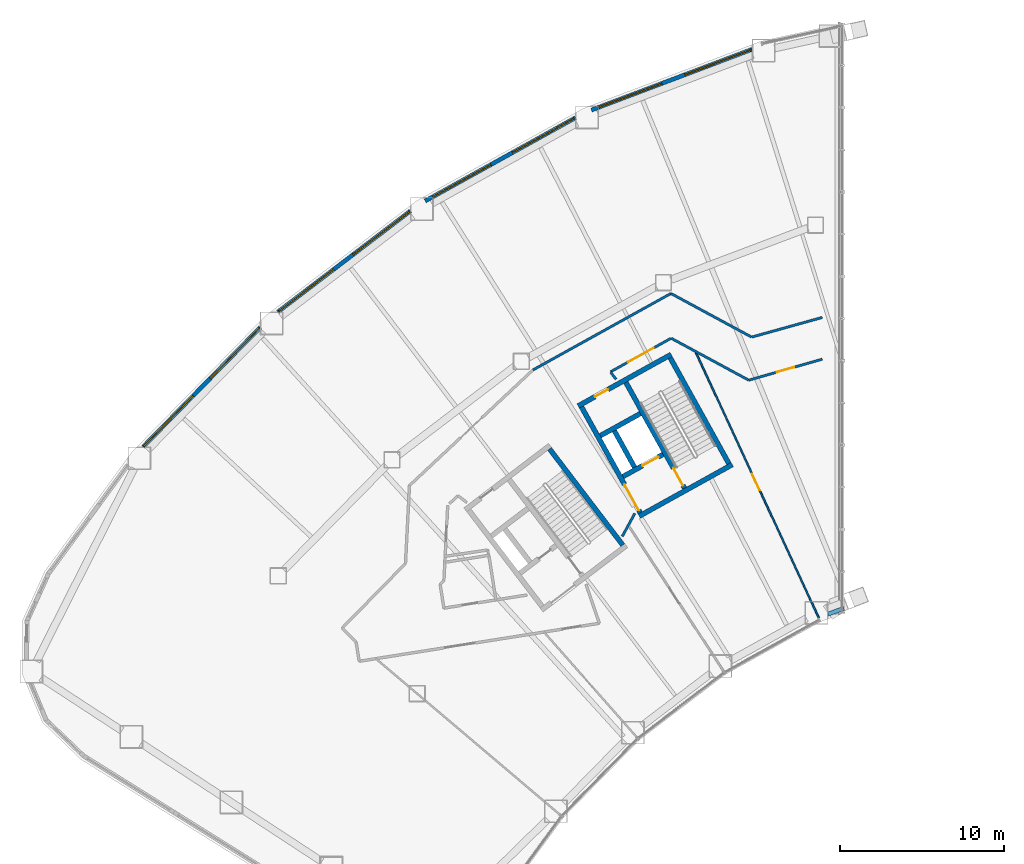
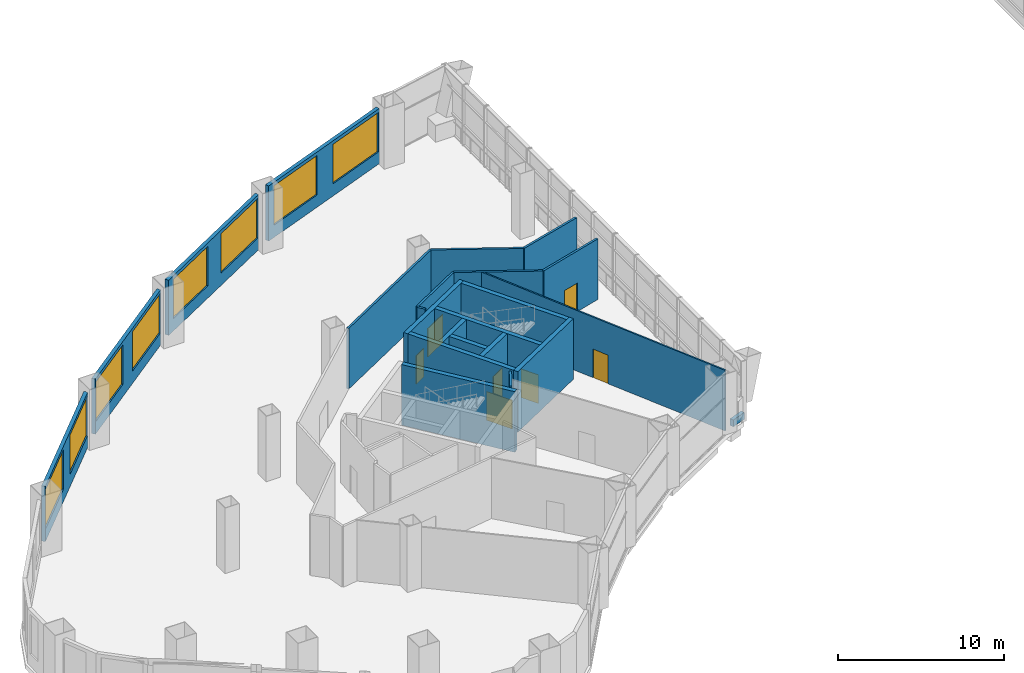
# One storey, part 20 of 26: 23 walls, 8 windows, 7 doors, 15 openings.
"""IFC4 building model written with IfcOpenShell, lengths in metres."""

from ifc_helpers import new_model, si_unit, direction, frame, frame_2d, origin, place, context, subcontext, project, spatial, rectangle, extrude, material, layer, layer_set, type_object, element, fill, save


model = new_model("IFC4")

# Units and contexts
model_context = context("Model", 3, precision=1e-05, world=origin(), true_north=direction((0.0, 1.0)))
body_context = subcontext(model_context, "Body", "Model", "MODEL_VIEW")
ifc_project = project(units=[si_unit("LENGTHUNIT", "METRE"), si_unit("AREAUNIT", "SQUARE_METRE"), si_unit("VOLUMEUNIT", "CUBIC_METRE"), si_unit("PLANEANGLEUNIT", "RADIAN"), si_unit("MASSUNIT", "GRAM", prefix="KILO")], contexts=[model_context])

# Site, building, storey
site_placement = place(None, origin())
site = spatial("IfcSite", under=ifc_project, at=site_placement, CompositionType="ELEMENT")
building_placement = place(site_placement, origin())
building = spatial("IfcBuilding", under=site, at=building_placement, Name="Tuul Gate Civic Tower", CompositionType="ELEMENT")
storey_placement = place(building_placement, frame((0.0, 0.0, 7.5)))
storey = spatial("IfcBuildingStorey", under=building, at=storey_placement, Name="Level 01", CompositionType="ELEMENT", Elevation=7.5)

# Walls
ifc_material_1 = material(Name="Concrete C50/60", Category="concrete")
ifc_layer_1 = layer(ifc_material_1, 0.300048828125)
ifc_layer_set_1 = layer_set([ifc_layer_1], Name="Concrete C50/60")
wall_type_1 = type_object("IfcWallType", Name="Core wall C50/60", PredefinedType="SHEAR", material=ifc_layer_set_1)
wall_1_placement = place(storey_placement, frame((-31.401123046875, -13.64111328125, 0.0), z_axis=(0.0, 0.0, 1.0), x_axis=(-0.605769822278, 0.795639945213, 0.0)))
element("IfcWall", 1, at=wall_1_placement, inside=storey, type_object=wall_type_1, Name="Core wall", PredefinedType="SHEAR", context=body_context, shape_type="SweptSolid", body=[
    extrude(rectangle(XDim=7.39990234375, YDim=0.300048828125, at=frame_2d((3.699951171875, 0.0))), origin(), (0.0, 0.0, 1.0), 4.449951171875),
])
wall_2_placement = place(storey_placement, frame((-24.711669921875, -8.7158203125, 0.0), z_axis=(0.0, 0.0, 1.0), x_axis=(-0.874629909008, -0.484791215132, 0.0)))
element("IfcWall", 2, at=wall_2_placement, inside=storey, type_object=wall_type_1, Name="Core wall", PredefinedType="SHEAR", context=body_context, shape_type="SweptSolid", body=[
    extrude(rectangle(XDim=6.5, YDim=0.300048828125, at=frame_2d((3.25, 0.0))), origin(), (0.0, 0.0, 1.0), 4.449951171875),
])

# Wall, opening, door
wall_3_placement = place(storey_placement, frame((-28.94580078125, -8.090087890625, 0.0), z_axis=(0.0, 0.0, 1.0), x_axis=(-0.874629840737, -0.484791338301, 0.0)))
wall_3 = element("IfcWall", 3, at=wall_3_placement, inside=storey, type_object=wall_type_1, Name="Core wall", PredefinedType="SHEAR", context=body_context, shape_type="SweptSolid", body=[
    extrude(rectangle(XDim=2.800048828125, YDim=0.300048828125, at=frame_2d((1.39990234375, 0.0))), origin(), (0.0, 0.0, 1.0), 4.449951171875),
])
opening_1_placement = place(wall_3_placement, frame((0.324951171875, 0.0, 0.0)))
opening_1 = element("IfcOpeningElement", 4, at=opening_1_placement, cuts=wall_3, Name="Opening LD-FF-1", PredefinedType="OPENING", context=body_context, shape_type="SweptSolid", body=[
    extrude(rectangle(XDim=1.10009765625, YDim=2.10009765625, at=frame_2d((0.550048828125, 1.050048828125))), frame((0.0, 0.16015625, 0.0), z_axis=(0.0, -1.0, 0.0), x_axis=(1.0, 0.0, 0.0)), (0.0, 0.0, 1.0), 0.320068359375),
])
ifc_material_2 = material(Name="Stainless steel", Category="steel")
door_type_1 = type_object("IfcDoorType", Name="Landing door", OperationType="DOUBLE_DOOR_SLIDING", PredefinedType="DOOR", material=ifc_material_2)
door_1_placement = place(opening_1_placement, origin())
door_1 = element("IfcDoor", 5, at=door_1_placement, inside=storey, type_object=door_type_1, Name="Fire-fighting lift FF-1 landing door", OperationType="DOUBLE_DOOR_SLIDING", OverallHeight=2.10009765625, OverallWidth=1.10009765625, PredefinedType="DOOR", context=body_context, shape_type="SweptSolid", body=[
    extrude(rectangle(XDim=1.10009765625, YDim=2.10009765625, at=frame_2d((0.550048828125, 1.050048828125))), frame((0.0, 0.02490234375, 0.0), z_axis=(0.0, -1.0, 0.0), x_axis=(1.0, 0.0, 0.0)), (0.0, 0.0, 1.0), 0.050048828125),
])
fill(opening_1, door_1)

# Wall
wall_4_placement = place(storey_placement, frame((-30.327392578125, -5.59716796875, 0.0), z_axis=(0.0, 0.0, 1.0), x_axis=(-0.874629840737, -0.484791338301, 0.0)))
element("IfcWall", 6, at=wall_4_placement, inside=storey, type_object=wall_type_1, Name="Core wall", PredefinedType="SHEAR", context=body_context, shape_type="SweptSolid", body=[
    extrude(rectangle(XDim=2.800048828125, YDim=0.300048828125, at=frame_2d((1.39990234375, 0.0))), origin(), (0.0, 0.0, 1.0), 4.449951171875),
])

# Wall, opening, door
wall_5_placement = place(storey_placement, frame((-28.4443359375, -1.98095703125, 0.0), z_axis=(0.0, 0.0, 1.0), x_axis=(-0.874629909008, -0.484791215132, 0.0)))
wall_5 = element("IfcWall", 7, at=wall_5_placement, inside=storey, type_object=wall_type_1, Name="Core wall", PredefinedType="SHEAR", context=body_context, shape_type="SweptSolid", body=[
    extrude(rectangle(XDim=6.5, YDim=0.300048828125, at=frame_2d((3.25, 0.0))), origin(), (0.0, 0.0, 1.0), 4.449951171875),
])
opening_2_placement = place(wall_5_placement, frame((4.425048828125, 0.0, 0.0)))
opening_2 = element("IfcOpeningElement", 8, at=opening_2_placement, cuts=wall_5, Name="Opening QA-D21", PredefinedType="OPENING", context=body_context, shape_type="SweptSolid", body=[
    extrude(rectangle(XDim=0.89990234375, YDim=2.10009765625, at=frame_2d((0.449951171875, 1.050048828125))), frame((0.0, 0.16015625, 0.0), z_axis=(0.0, -1.0, 0.0), x_axis=(1.0, 0.0, 0.0)), (0.0, 0.0, 1.0), 0.320068359375),
])
ifc_material_3 = material(Name="Timber door leaf", Category="wood")
door_type_2 = type_object("IfcDoorType", Name="Door D09", OperationType="NOTDEFINED", PredefinedType="DOOR", material=ifc_material_3)
door_2_placement = place(opening_2_placement, origin())
door_2 = element("IfcDoor", 9, at=door_2_placement, inside=storey, type_object=door_type_2, Name="Door QA-D21", OperationType="SINGLE_SWING_LEFT", OverallHeight=2.10009765625, OverallWidth=0.89990234375, PredefinedType="DOOR", context=body_context, shape_type="SweptSolid", body=[
    extrude(rectangle(XDim=0.89990234375, YDim=2.10009765625, at=frame_2d((0.449951171875, 1.050048828125))), frame((0.0, 0.02490234375, 0.0), z_axis=(0.0, -1.0, 0.0), x_axis=(1.0, 0.0, 0.0)), (0.0, 0.0, 1.0), 0.050048828125),
])
fill(opening_2, door_2)

# Wall
wall_6_placement = place(storey_placement, frame((-24.91552734375, -8.6572265625, 0.0), z_axis=(0.0, 0.0, 1.0), x_axis=(-0.484777133038, 0.874637714304, 0.0)))
element("IfcWall", 10, at=wall_6_placement, inside=storey, type_object=wall_type_1, Name="Core wall", PredefinedType="SHEAR", context=body_context, shape_type="SweptSolid", body=[
    extrude(rectangle(XDim=7.400146484375, YDim=0.300048828125, at=frame_2d((3.7001953125, 0.0))), origin(), (0.0, 0.0, 1.0), 4.449951171875),
])

# Wall, opening, door
wall_7_placement = place(storey_placement, frame((-27.626953125, -10.16015625, 0.0), z_axis=(0.0, 0.0, 1.0), x_axis=(-0.484751894226, 0.874651702704, 0.0)))
wall_7 = element("IfcWall", 11, at=wall_7_placement, inside=storey, type_object=wall_type_1, Name="Core wall", PredefinedType="SHEAR", context=body_context, shape_type="SweptSolid", body=[
    extrude(rectangle(XDim=7.39990234375, YDim=0.300048828125, at=frame_2d((3.699951171875, 0.0))), origin(), (0.0, 0.0, 1.0), 4.449951171875),
])
opening_3_placement = place(wall_7_placement, frame((0.199951171875, 0.0, 0.0)))
opening_3 = element("IfcOpeningElement", 12, at=opening_3_placement, cuts=wall_7, Name="Opening SD-ST-2", PredefinedType="OPENING", context=body_context, shape_type="SweptSolid", body=[
    extrude(rectangle(XDim=1.199951171875, YDim=2.10009765625, at=frame_2d((0.60009765625, 1.050048828125))), frame((0.0, 0.16015625, 0.0), z_axis=(0.0, -1.0, 0.0), x_axis=(1.0, 0.0, 0.0)), (0.0, 0.0, 1.0), 0.320068359375),
])
ifc_material_4 = material(Name="Steel", Category="steel")
door_type_3 = type_object("IfcDoorType", Name="Stair door", OperationType="NOTDEFINED", PredefinedType="DOOR", material=ifc_material_4)
door_3_placement = place(opening_3_placement, origin())
door_3 = element("IfcDoor", 13, at=door_3_placement, inside=storey, type_object=door_type_3, Name="Stair door ST-2", OperationType="SINGLE_SWING_LEFT", OverallHeight=2.10009765625, OverallWidth=1.199951171875, PredefinedType="DOOR", context=body_context, shape_type="SweptSolid", body=[
    extrude(rectangle(XDim=1.199951171875, YDim=2.10009765625, at=frame_2d((0.60009765625, 1.050048828125))), frame((0.0, 0.02490234375, 0.0), z_axis=(0.0, -1.0, 0.0), x_axis=(1.0, 0.0, 0.0)), (0.0, 0.0, 1.0), 0.050048828125),
])
fill(opening_3, door_3)

# Wall
wall_8_placement = place(storey_placement, frame((-30.680419921875, -8.8798828125, 0.0), z_axis=(0.0, 0.0, 1.0), x_axis=(-0.484724115216, 0.874667097888, 0.0)))
element("IfcWall", 14, at=wall_8_placement, inside=storey, type_object=wall_type_1, Name="Core wall", PredefinedType="SHEAR", context=body_context, shape_type="SweptSolid", body=[
    extrude(rectangle(XDim=2.550048828125, YDim=0.300048828125, at=frame_2d((1.27490234375, 0.0))), origin(), (0.0, 0.0, 1.0), 4.449951171875),
])

# Wall, opening, door
wall_9_placement = place(storey_placement, frame((-30.33837890625, -11.6630859375, 0.0), z_axis=(0.0, 0.0, 1.0), x_axis=(-0.484751894226, 0.874651702704, 0.0)))
wall_9 = element("IfcWall", 15, at=wall_9_placement, inside=storey, type_object=wall_type_1, Name="Core wall", PredefinedType="SHEAR", context=body_context, shape_type="SweptSolid", body=[
    extrude(rectangle(XDim=7.39990234375, YDim=0.300048828125, at=frame_2d((3.699951171875, 0.0))), origin(), (0.0, 0.0, 1.0), 4.449951171875),
])
opening_4_placement = place(wall_9_placement, frame((0.175048828125, 0.0, 0.0)))
opening_4 = element("IfcOpeningElement", 16, at=opening_4_placement, cuts=wall_9, Name="Opening LB-W2-FLOBBY-1", PredefinedType="OPENING", context=body_context, shape_type="SweptSolid", body=[
    extrude(rectangle(XDim=1.800048828125, YDim=2.10009765625, at=frame_2d((0.89990234375, 1.050048828125))), frame((0.0, 0.16015625, 0.0), z_axis=(0.0, -1.0, 0.0), x_axis=(1.0, 0.0, 0.0)), (0.0, 0.0, 1.0), 0.320068359375),
])
ifc_material_5 = material(Name="Steel", Category="steel")
door_type_4 = type_object("IfcDoorType", Name="Lobby door", OperationType="DOUBLE_DOOR_SINGLE_SWING", PredefinedType="DOOR", material=ifc_material_5)
door_4_placement = place(opening_4_placement, frame((1.800048828125, 0.0, 0.0), z_axis=(0.0, 0.0, 1.0), x_axis=(-1.0, 0.0, 0.0)))
door_4 = element("IfcDoor", 17, at=door_4_placement, inside=storey, type_object=door_type_4, Name="Lobby door W2-FLOBBY", OperationType="DOUBLE_DOOR_SINGLE_SWING", OverallHeight=2.10009765625, OverallWidth=1.800048828125, PredefinedType="DOOR", context=body_context, shape_type="SweptSolid", body=[
    extrude(rectangle(XDim=1.800048828125, YDim=2.10009765625, at=frame_2d((0.900146484375, 1.050048828125))), frame((0.0, 0.02490234375, 0.0), z_axis=(0.0, -1.0, 0.0), x_axis=(1.0, 0.0, 0.0)), (0.0, 0.0, 1.0), 0.050048828125),
])
fill(opening_4, door_4)

# Walls
ifc_material_6 = material(Name="Gypsum board partition")
ifc_layer_2 = layer(ifc_material_6, 0.14990234375)
ifc_layer_set_2 = layer_set([ifc_layer_2], Name="Gypsum board partition")
wall_type_2 = type_object("IfcWallType", Name="Corridor wall P150", PredefinedType="PARTITIONING", material=ifc_layer_set_2)
wall_10_placement = place(storey_placement, frame((-23.515869140625, -0.9189453125, 0.0), z_axis=(0.0, 0.0, 1.0), x_axis=(0.963356906107, 0.268222801893, 0.0)))
element("IfcWall", 18, at=wall_10_placement, inside=storey, type_object=wall_type_2, Name="p009", PredefinedType="PARTITIONING", context=body_context, shape_type="SweptSolid", body=[
    extrude(rectangle(XDim=4.47998046875, YDim=0.14990234375, at=frame_2d((2.239990234375, 0.0))), origin(), (0.0, 0.0, 1.0), 4.449951171875),
])
wall_11_placement = place(storey_placement, frame((-28.460205078125, 1.74658203125, 0.0), z_axis=(0.0, 0.0, 1.0), x_axis=(0.879722771924, -0.475486955192, 0.0)))
element("IfcWall", 19, at=wall_11_placement, inside=storey, type_object=wall_type_2, Name="p010", PredefinedType="PARTITIONING", context=body_context, shape_type="SweptSolid", body=[
    extrude(rectangle(XDim=5.602294921875, YDim=0.14990234375, at=frame_2d((2.80126953125, 0.0))), origin(), (0.0, 0.0, 1.0), 4.449951171875),
])
wall_12_placement = place(storey_placement, frame((-36.896484375, -2.9296875, 0.0), z_axis=(0.0, 0.0, 1.0), x_axis=(0.874621309202, 0.484806730038, 0.0)))
element("IfcWall", 20, at=wall_12_placement, inside=storey, type_object=wall_type_2, Name="p011", PredefinedType="PARTITIONING", context=body_context, shape_type="SweptSolid", body=[
    extrude(rectangle(XDim=9.645751953125, YDim=0.14990234375, at=frame_2d((4.82275390625, 0.0))), origin(), (0.0, 0.0, 1.0), 4.449951171875),
])
wall_13_placement = place(storey_placement, frame((-28.435791015625, -0.994873046875, 0.0), z_axis=(0.0, 0.0, 1.0), x_axis=(0.879728567104, -0.475476233077, 0.0)))
element("IfcWall", 21, at=wall_13_placement, inside=storey, type_object=wall_type_2, Name="p024", PredefinedType="PARTITIONING", context=body_context, shape_type="SweptSolid", body=[
    extrude(rectangle(XDim=5.381591796875, YDim=0.14990234375, at=frame_2d((2.69091796875, 0.0))), origin(), (0.0, 0.0, 1.0), 4.449951171875),
])

# Wall, opening, door
wall_14_placement = place(storey_placement, frame((-23.699951171875, -3.5537109375, 0.0), z_axis=(0.0, 0.0, 1.0), x_axis=(0.961547569575, 0.274638437669, 0.0)))
wall_14 = element("IfcWall", 22, at=wall_14_placement, inside=storey, type_object=wall_type_2, Name="p025", PredefinedType="PARTITIONING", context=body_context, shape_type="SweptSolid", body=[
    extrude(rectangle(XDim=4.679443359375, YDim=0.14990234375, at=frame_2d((2.33984375, 0.0))), origin(), (0.0, 0.0, 1.0), 4.449951171875),
])
opening_5_placement = place(wall_14_placement, frame((1.789794921875, 0.0, 0.0)))
opening_5 = element("IfcOpeningElement", 23, at=opening_5_placement, cuts=wall_14, Name="Opening QA-D06", PredefinedType="OPENING", context=body_context, shape_type="SweptSolid", body=[
    extrude(rectangle(XDim=1.10009765625, YDim=2.10009765625, at=frame_2d((0.550048828125, 1.050048828125))), frame((0.0, 0.0849609375, 0.0), z_axis=(0.0, -1.0, 0.0), x_axis=(1.0, 0.0, 0.0)), (0.0, 0.0, 1.0), 0.169921875),
])
ifc_material_7 = material(Name="Timber door leaf", Category="wood")
door_type_5 = type_object("IfcDoorType", Name="Door D11", OperationType="NOTDEFINED", PredefinedType="DOOR", material=ifc_material_7)
door_5_placement = place(opening_5_placement, frame((1.10009765625, 0.0, 0.0), z_axis=(0.0, 0.0, 1.0), x_axis=(-1.0, 0.0, 0.0)))
door_5 = element("IfcDoor", 24, at=door_5_placement, inside=storey, type_object=door_type_5, Name="Door QA-D06", OperationType="SINGLE_SWING_LEFT", OverallHeight=2.10009765625, OverallWidth=1.10009765625, PredefinedType="DOOR", context=body_context, shape_type="SweptSolid", body=[
    extrude(rectangle(XDim=1.10009765625, YDim=2.10009765625, at=frame_2d((0.550048828125, 1.050048828125))), frame((0.0, 0.02490234375, 0.0), z_axis=(0.0, -1.0, 0.0), x_axis=(1.0, 0.0, 0.0)), (0.0, 0.0, 1.0), 0.050048828125),
])
fill(opening_5, door_5)

# Walls
wall_15_placement = place(storey_placement, frame((-31.43359375, -13.102294921875, 0.0), z_axis=(0.0, 0.0, 1.0), x_axis=(0.48009985333, 0.877213845555, 0.0)))
element("IfcWall", 25, at=wall_15_placement, inside=storey, type_object=wall_type_2, Name="p027", PredefinedType="PARTITIONING", context=body_context, shape_type="SweptSolid", body=[
    extrude(rectangle(XDim=1.603271484375, YDim=0.14990234375, at=frame_2d((0.8017578125, 0.0))), origin(), (0.0, 0.0, 1.0), 4.449951171875),
])
wall_16_placement = place(storey_placement, frame((-32.146240234375, -3.0673828125, 0.0), z_axis=(0.0, 0.0, 1.0), x_axis=(0.607153318547, -0.794584701449, 0.0)))
element("IfcWall", 26, at=wall_16_placement, inside=storey, type_object=wall_type_2, Name="p028", PredefinedType="PARTITIONING", context=body_context, shape_type="SweptSolid", body=[
    extrude(rectangle(XDim=0.549560546875, YDim=0.14990234375, at=frame_2d((0.27490234375, 0.0))), origin(), (0.0, 0.0, 1.0), 4.449951171875),
])

# Wall, opening, door
wall_17_placement = place(storey_placement, frame((-32.139892578125, -3.037109375, 0.0), z_axis=(0.0, 0.0, 1.0), x_axis=(0.874632574956, 0.484786405363, 0.0)))
wall_17 = element("IfcWall", 27, at=wall_17_placement, inside=storey, type_object=wall_type_2, Name="p029", PredefinedType="PARTITIONING", context=body_context, shape_type="SweptSolid", body=[
    extrude(rectangle(XDim=4.212158203125, YDim=0.14990234375, at=frame_2d((2.10595703125, 0.0))), origin(), (0.0, 0.0, 1.0), 4.449951171875),
])
opening_6_placement = place(wall_17_placement, frame((1.206298828125, 0.0, 0.0)))
opening_6 = element("IfcOpeningElement", 28, at=opening_6_placement, cuts=wall_17, Name="Opening QA-D07", PredefinedType="OPENING", context=body_context, shape_type="SweptSolid", body=[
    extrude(rectangle(XDim=1.800048828125, YDim=2.10009765625, at=frame_2d((0.89990234375, 1.050048828125))), frame((0.0, 0.0849609375, 0.0), z_axis=(0.0, -1.0, 0.0), x_axis=(1.0, 0.0, 0.0)), (0.0, 0.0, 1.0), 0.169921875),
])
ifc_material_8 = material(Name="Timber door leaf, double", Category="wood")
door_type_6 = type_object("IfcDoorType", Name="Door D18", OperationType="DOUBLE_DOOR_SINGLE_SWING", PredefinedType="DOOR", material=ifc_material_8)
door_6_placement = place(opening_6_placement, origin())
door_6 = element("IfcDoor", 29, at=door_6_placement, inside=storey, type_object=door_type_6, Name="Door QA-D07", OperationType="DOUBLE_DOOR_SINGLE_SWING", OverallHeight=2.10009765625, OverallWidth=1.800048828125, PredefinedType="DOOR", context=body_context, shape_type="SweptSolid", body=[
    extrude(rectangle(XDim=1.800048828125, YDim=2.10009765625, at=frame_2d((0.89990234375, 1.050048828125))), frame((0.0, 0.02490234375, 0.0), z_axis=(0.0, -1.0, 0.0), x_axis=(1.0, 0.0, 0.0)), (0.0, 0.0, 1.0), 0.050048828125),
])
fill(opening_6, door_6)

# Wall, openings, windows
ifc_material_9 = material(Name="Precast concrete C40/50", Category="concrete")
ifc_layer_3 = layer(ifc_material_9, 0.25)
ifc_layer_set_3 = layer_set([ifc_layer_3], Name="Precast concrete C40/50")
wall_type_3 = type_object("IfcWallType", Name="External wall", PredefinedType="STANDARD", material=ifc_layer_set_3)
wall_18_placement = place(storey_placement, frame((-23.491943359375, 16.677490234375, 0.0), z_axis=(0.0, 0.0, 1.0), x_axis=(-0.935356101005, -0.353707455833, 0.0)))
wall_18 = element("IfcWall", 30, at=wall_18_placement, inside=storey, type_object=wall_type_3, Name="External wall", PredefinedType="STANDARD", context=body_context, shape_type="SweptSolid", body=[
    extrude(rectangle(XDim=10.50390625, YDim=0.25, at=frame_2d((5.251953125, 0.0))), origin(), (0.0, 0.0, 1.0), 4.050048828125),
])
opening_7_placement = place(wall_18_placement, frame((0.09521484375, 0.0, 0.89990234375)))
opening_7 = element("IfcOpeningElement", 31, at=opening_7_placement, cuts=wall_18, Name="Opening W13", PredefinedType="OPENING", context=body_context, shape_type="SweptSolid", body=[
    extrude(rectangle(XDim=4.300048828125, YDim=2.89990234375, at=frame_2d((2.14990234375, 1.449951171875))), frame((0.0, 0.135009765625, 0.0), z_axis=(0.0, -1.0, 0.0), x_axis=(1.0, 0.0, 0.0)), (0.0, 0.0, 1.0), 0.27001953125),
])
opening_8_placement = place(wall_18_placement, frame((5.905029296875, 0.0, 0.89990234375)))
opening_8 = element("IfcOpeningElement", 32, at=opening_8_placement, cuts=wall_18, Name="Opening W86", PredefinedType="OPENING", context=body_context, shape_type="SweptSolid", body=[
    extrude(rectangle(XDim=4.10009765625, YDim=2.89990234375, at=frame_2d((2.050048828125, 1.449951171875))), frame((0.0, 0.135009765625, 0.0), z_axis=(0.0, -1.0, 0.0), x_axis=(1.0, 0.0, 0.0)), (0.0, 0.0, 1.0), 0.27001953125),
])
ifc_material_10 = material(Name="Glass", Category="glass")
window_type_1 = type_object("IfcWindowType", Name="Window W13 4300 x 2900", PartitioningType="SINGLE_PANEL", PredefinedType="WINDOW", material=ifc_material_10)
window_1_placement = place(opening_7_placement, origin())
window_1 = element("IfcWindow", 33, at=window_1_placement, inside=storey, type_object=window_type_1, Name="Window", OverallHeight=2.89990234375, OverallWidth=4.300048828125, PartitioningType="SINGLE_PANEL", PredefinedType="WINDOW", context=body_context, shape_type="SweptSolid", body=[
    extrude(rectangle(XDim=4.300048828125, YDim=2.89990234375, at=frame_2d((2.14990234375, 1.449951171875))), frame((0.0, 0.030029296875, 0.0), z_axis=(0.0, -1.0, 0.0), x_axis=(1.0, 0.0, 0.0)), (0.0, 0.0, 1.0), 0.06005859375),
])
fill(opening_7, window_1)
ifc_material_11 = material(Name="Glass", Category="glass")
window_type_2 = type_object("IfcWindowType", Name="Window W86 4100 x 2900", PartitioningType="SINGLE_PANEL", PredefinedType="WINDOW", material=ifc_material_11)
window_2_placement = place(opening_8_placement, origin())
window_2 = element("IfcWindow", 34, at=window_2_placement, inside=storey, type_object=window_type_2, Name="Window", OverallHeight=2.89990234375, OverallWidth=4.10009765625, PartitioningType="SINGLE_PANEL", PredefinedType="WINDOW", context=body_context, shape_type="SweptSolid", body=[
    extrude(rectangle(XDim=4.10009765625, YDim=2.89990234375, at=frame_2d((2.050048828125, 1.449951171875))), frame((0.0, 0.030029296875, 0.0), z_axis=(0.0, -1.0, 0.0), x_axis=(1.0, 0.0, 0.0)), (0.0, 0.0, 1.0), 0.06005859375),
])
fill(opening_8, window_2)

wall_19_placement = place(storey_placement, frame((-34.2919921875, 12.494384765625, 0.0), z_axis=(0.0, 0.0, 1.0), x_axis=(-0.874646654652, -0.48476100246, 0.0)))
wall_19 = element("IfcWall", 35, at=wall_19_placement, inside=storey, type_object=wall_type_3, Name="External wall", PredefinedType="STANDARD", context=body_context, shape_type="SweptSolid", body=[
    extrude(rectangle(XDim=10.50927734375, YDim=0.25, at=frame_2d((5.254638671875, 0.0))), origin(), (0.0, 0.0, 1.0), 4.050048828125),
])
opening_9_placement = place(wall_19_placement, frame((0.1005859375, 0.0, 0.89990234375)))
opening_9 = element("IfcOpeningElement", 36, at=opening_9_placement, cuts=wall_19, Name="Opening W13", PredefinedType="OPENING", context=body_context, shape_type="SweptSolid", body=[
    extrude(rectangle(XDim=4.300048828125, YDim=2.89990234375, at=frame_2d((2.14990234375, 1.449951171875))), frame((0.0, 0.135009765625, 0.0), z_axis=(0.0, -1.0, 0.0), x_axis=(1.0, 0.0, 0.0)), (0.0, 0.0, 1.0), 0.27001953125),
])
opening_10_placement = place(wall_19_placement, frame((5.9208984375, 0.0, 0.89990234375)))
opening_10 = element("IfcOpeningElement", 37, at=opening_10_placement, cuts=wall_19, Name="Opening W85", PredefinedType="OPENING", context=body_context, shape_type="SweptSolid", body=[
    extrude(rectangle(XDim=4.050048828125, YDim=2.89990234375, at=frame_2d((2.02490234375, 1.449951171875))), frame((0.0, 0.135009765625, 0.0), z_axis=(0.0, -1.0, 0.0), x_axis=(1.0, 0.0, 0.0)), (0.0, 0.0, 1.0), 0.27001953125),
])
window_3_placement = place(opening_9_placement, origin())
window_3 = element("IfcWindow", 38, at=window_3_placement, inside=storey, type_object=window_type_1, Name="Window", OverallHeight=2.89990234375, OverallWidth=4.300048828125, PartitioningType="SINGLE_PANEL", PredefinedType="WINDOW", context=body_context, shape_type="SweptSolid", body=[
    extrude(rectangle(XDim=4.300048828125, YDim=2.89990234375, at=frame_2d((2.14990234375, 1.449951171875))), frame((0.0, 0.030029296875, 0.0), z_axis=(0.0, -1.0, 0.0), x_axis=(1.0, 0.0, 0.0)), (0.0, 0.0, 1.0), 0.06005859375),
])
fill(opening_9, window_3)
ifc_material_12 = material(Name="Glass", Category="glass")
window_type_3 = type_object("IfcWindowType", Name="Window W85 4050 x 2900", PartitioningType="SINGLE_PANEL", PredefinedType="WINDOW", material=ifc_material_12)
window_4_placement = place(opening_10_placement, origin())
window_4 = element("IfcWindow", 39, at=window_4_placement, inside=storey, type_object=window_type_3, Name="Window", OverallHeight=2.89990234375, OverallWidth=4.050048828125, PartitioningType="SINGLE_PANEL", PredefinedType="WINDOW", context=body_context, shape_type="SweptSolid", body=[
    extrude(rectangle(XDim=4.050048828125, YDim=2.89990234375, at=frame_2d((2.02490234375, 1.449951171875))), frame((0.0, 0.030029296875, 0.0), z_axis=(0.0, -1.0, 0.0), x_axis=(1.0, 0.0, 0.0)), (0.0, 0.0, 1.0), 0.06005859375),
])
fill(opening_10, window_4)

wall_20_placement = place(storey_placement, frame((-44.39111328125, 6.7890625, 0.0), z_axis=(0.0, 0.0, 1.0), x_axis=(-0.795598395873, -0.605824390796, 0.0)))
wall_20 = element("IfcWall", 40, at=wall_20_placement, inside=storey, type_object=wall_type_3, Name="External wall", PredefinedType="STANDARD", context=body_context, shape_type="SweptSolid", body=[
    extrude(rectangle(XDim=10.186279296875, YDim=0.25, at=frame_2d((5.09326171875, 0.0))), origin(), (0.0, 0.0, 1.0), 4.050048828125),
])
opening_11_placement = place(wall_20_placement, frame((0.088623046875, 0.0, 0.89990234375)))
opening_11 = element("IfcOpeningElement", 41, at=opening_11_placement, cuts=wall_20, Name="Opening W13", PredefinedType="OPENING", context=body_context, shape_type="SweptSolid", body=[
    extrude(rectangle(XDim=4.300048828125, YDim=2.89990234375, at=frame_2d((2.14990234375, 1.449951171875))), frame((0.0, 0.135009765625, 0.0), z_axis=(0.0, -1.0, 0.0), x_axis=(1.0, 0.0, 0.0)), (0.0, 0.0, 1.0), 0.27001953125),
])
opening_12_placement = place(wall_20_placement, frame((5.90087890625, 0.0, 0.89990234375)))
opening_12 = element("IfcOpeningElement", 42, at=opening_12_placement, cuts=wall_20, Name="Opening W84", PredefinedType="OPENING", context=body_context, shape_type="SweptSolid", body=[
    extrude(rectangle(XDim=4.199951171875, YDim=2.89990234375, at=frame_2d((2.10009765625, 1.449951171875))), frame((0.0, 0.135009765625, 0.0), z_axis=(0.0, -1.0, 0.0), x_axis=(1.0, 0.0, 0.0)), (0.0, 0.0, 1.0), 0.27001953125),
])
window_5_placement = place(opening_11_placement, origin())
window_5 = element("IfcWindow", 43, at=window_5_placement, inside=storey, type_object=window_type_1, Name="Window", OverallHeight=2.89990234375, OverallWidth=4.300048828125, PartitioningType="SINGLE_PANEL", PredefinedType="WINDOW", context=body_context, shape_type="SweptSolid", body=[
    extrude(rectangle(XDim=4.300048828125, YDim=2.89990234375, at=frame_2d((2.14990234375, 1.449951171875))), frame((0.0, 0.030029296875, 0.0), z_axis=(0.0, -1.0, 0.0), x_axis=(1.0, 0.0, 0.0)), (0.0, 0.0, 1.0), 0.06005859375),
])
fill(opening_11, window_5)
ifc_material_13 = material(Name="Glass", Category="glass")
window_type_4 = type_object("IfcWindowType", Name="Window W84 4200 x 2900", PartitioningType="SINGLE_PANEL", PredefinedType="WINDOW", material=ifc_material_13)
window_6_placement = place(opening_12_placement, origin())
window_6 = element("IfcWindow", 44, at=window_6_placement, inside=storey, type_object=window_type_4, Name="Window", OverallHeight=2.89990234375, OverallWidth=4.199951171875, PartitioningType="SINGLE_PANEL", PredefinedType="WINDOW", context=body_context, shape_type="SweptSolid", body=[
    extrude(rectangle(XDim=4.199951171875, YDim=2.89990234375, at=frame_2d((2.10009765625, 1.449951171875))), frame((0.0, 0.030029296875, 0.0), z_axis=(0.0, -1.0, 0.0), x_axis=(1.0, 0.0, 0.0)), (0.0, 0.0, 1.0), 0.06005859375),
])
fill(opening_12, window_6)

wall_21_placement = place(storey_placement, frame((-53.577880859375, -0.33154296875, 0.0), z_axis=(0.0, 0.0, 1.0), x_axis=(-0.700010487511, -0.714132562886, 0.0)))
wall_21 = element("IfcWall", 45, at=wall_21_placement, inside=storey, type_object=wall_type_3, Name="External wall", PredefinedType="STANDARD", context=body_context, shape_type="SweptSolid", body=[
    extrude(rectangle(XDim=10.217041015625, YDim=0.25, at=frame_2d((5.1083984375, 0.0))), origin(), (0.0, 0.0, 1.0), 4.050048828125),
])
opening_13_placement = place(wall_21_placement, frame((0.052490234375, 0.0, 0.89990234375)))
opening_13 = element("IfcOpeningElement", 46, at=opening_13_placement, cuts=wall_21, Name="Opening W13", PredefinedType="OPENING", context=body_context, shape_type="SweptSolid", body=[
    extrude(rectangle(XDim=4.300048828125, YDim=2.89990234375, at=frame_2d((2.14990234375, 1.449951171875))), frame((0.0, 0.135009765625, 0.0), z_axis=(0.0, -1.0, 0.0), x_axis=(1.0, 0.0, 0.0)), (0.0, 0.0, 1.0), 0.27001953125),
])
opening_14_placement = place(wall_21_placement, frame((5.858154296875, 0.0, 0.89990234375)))
opening_14 = element("IfcOpeningElement", 47, at=opening_14_placement, cuts=wall_21, Name="Opening W13", PredefinedType="OPENING", context=body_context, shape_type="SweptSolid", body=[
    extrude(rectangle(XDim=4.300048828125, YDim=2.89990234375, at=frame_2d((2.14990234375, 1.449951171875))), frame((0.0, 0.135009765625, 0.0), z_axis=(0.0, -1.0, 0.0), x_axis=(1.0, 0.0, 0.0)), (0.0, 0.0, 1.0), 0.27001953125),
])
window_7_placement = place(opening_13_placement, origin())
window_7 = element("IfcWindow", 48, at=window_7_placement, inside=storey, type_object=window_type_1, Name="Window", OverallHeight=2.89990234375, OverallWidth=4.300048828125, PartitioningType="SINGLE_PANEL", PredefinedType="WINDOW", context=body_context, shape_type="SweptSolid", body=[
    extrude(rectangle(XDim=4.300048828125, YDim=2.89990234375, at=frame_2d((2.14990234375, 1.449951171875))), frame((0.0, 0.030029296875, 0.0), z_axis=(0.0, -1.0, 0.0), x_axis=(1.0, 0.0, 0.0)), (0.0, 0.0, 1.0), 0.06005859375),
])
fill(opening_13, window_7)
window_8_placement = place(opening_14_placement, origin())
window_8 = element("IfcWindow", 49, at=window_8_placement, inside=storey, type_object=window_type_1, Name="Window", OverallHeight=2.89990234375, OverallWidth=4.300048828125, PartitioningType="SINGLE_PANEL", PredefinedType="WINDOW", context=body_context, shape_type="SweptSolid", body=[
    extrude(rectangle(XDim=4.300048828125, YDim=2.89990234375, at=frame_2d((2.14990234375, 1.449951171875))), frame((0.0, 0.030029296875, 0.0), z_axis=(0.0, -1.0, 0.0), x_axis=(1.0, 0.0, 0.0)), (0.0, 0.0, 1.0), 0.06005859375),
])
fill(opening_14, window_8)

# Wall
ifc_material_14 = material(Name="Precast concrete C40/50", Category="concrete")
ifc_layer_4 = layer(ifc_material_14, 0.25)
ifc_layer_set_4 = layer_set([ifc_layer_4], Name="Precast concrete C40/50")
wall_type_4 = type_object("IfcWallType", Name="External wall 500 HIGH", PredefinedType="STANDARD", material=ifc_layer_set_4)
wall_22_placement = place(storey_placement, frame((-18.85791015625, -17.866455078125, 0.0), z_axis=(0.0, 0.0, 1.0), x_axis=(0.935351332769, 0.353720064864, 0.0)))
element("IfcWall", 50, at=wall_22_placement, inside=storey, type_object=wall_type_4, Name="External wall", PredefinedType="STANDARD", context=body_context, shape_type="SweptSolid", body=[
    extrude(rectangle(XDim=1.0400390625, YDim=0.25, at=frame_2d((0.52001953125, 0.0))), origin(), (0.0, 0.0, 1.0), 0.5),
])

# Wall, opening, door
ifc_material_15 = material(Name="Gypsum board partition")
ifc_layer_5 = layer(ifc_material_15, 0.10009765625)
ifc_layer_set_5 = layer_set([ifc_layer_5], Name="Gypsum board partition")
wall_type_5 = type_object("IfcWallType", Name="Partition P100", PredefinedType="PARTITIONING", material=ifc_layer_set_5)
wall_23_placement = place(storey_placement, frame((-26.96826171875, -1.7880859375, 0.0), z_axis=(0.0, 0.0, 1.0), x_axis=(0.420360295102, -0.907357273791, 0.0)))
wall_23 = element("IfcWall", 51, at=wall_23_placement, inside=storey, type_object=wall_type_5, Name="p023", PredefinedType="PARTITIONING", context=body_context, shape_type="SweptSolid", body=[
    extrude(rectangle(XDim=17.959716796875, YDim=0.10009765625, at=frame_2d((8.97998046875, 0.0))), origin(), (0.0, 0.0, 1.0), 4.449951171875),
])
opening_15_placement = place(wall_23_placement, frame((8.264404296875, 0.0, 0.0)))
opening_15 = element("IfcOpeningElement", 52, at=opening_15_placement, cuts=wall_23, Name="Opening QA-D17", PredefinedType="OPENING", context=body_context, shape_type="SweptSolid", body=[
    extrude(rectangle(XDim=1.10009765625, YDim=2.10009765625, at=frame_2d((0.550048828125, 1.050048828125))), frame((0.0, 0.06005859375, 0.0), z_axis=(0.0, -1.0, 0.0), x_axis=(1.0, 0.0, 0.0)), (0.0, 0.0, 1.0), 0.1201171875),
])
door_7_placement = place(opening_15_placement, origin())
door_7 = element("IfcDoor", 53, at=door_7_placement, inside=storey, type_object=door_type_5, Name="Door QA-D17", OperationType="SINGLE_SWING_RIGHT", OverallHeight=2.10009765625, OverallWidth=1.10009765625, PredefinedType="DOOR", context=body_context, shape_type="SweptSolid", body=[
    extrude(rectangle(XDim=1.10009765625, YDim=2.10009765625, at=frame_2d((0.550048828125, 1.050048828125))), frame((0.0, 0.02490234375, 0.0), z_axis=(0.0, -1.0, 0.0), x_axis=(1.0, 0.0, 0.0)), (0.0, 0.0, 1.0), 0.050048828125),
])
fill(opening_15, door_7)

save(model, "model.ifc")
